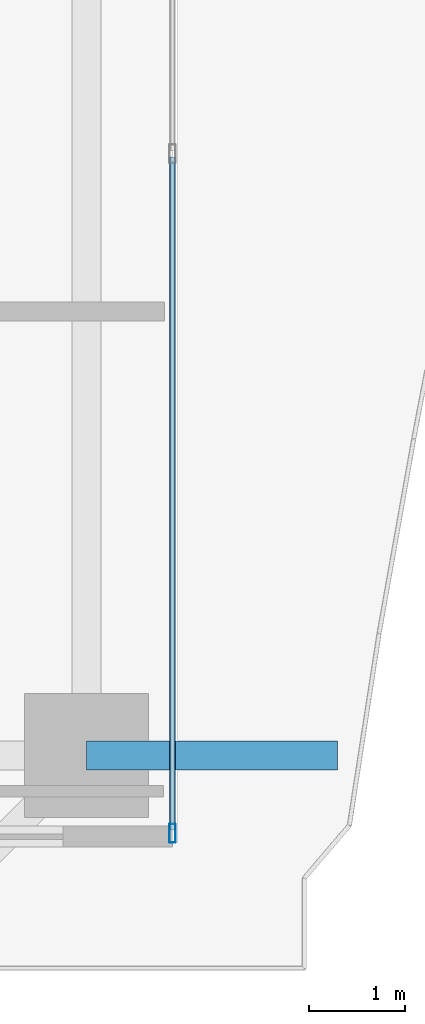
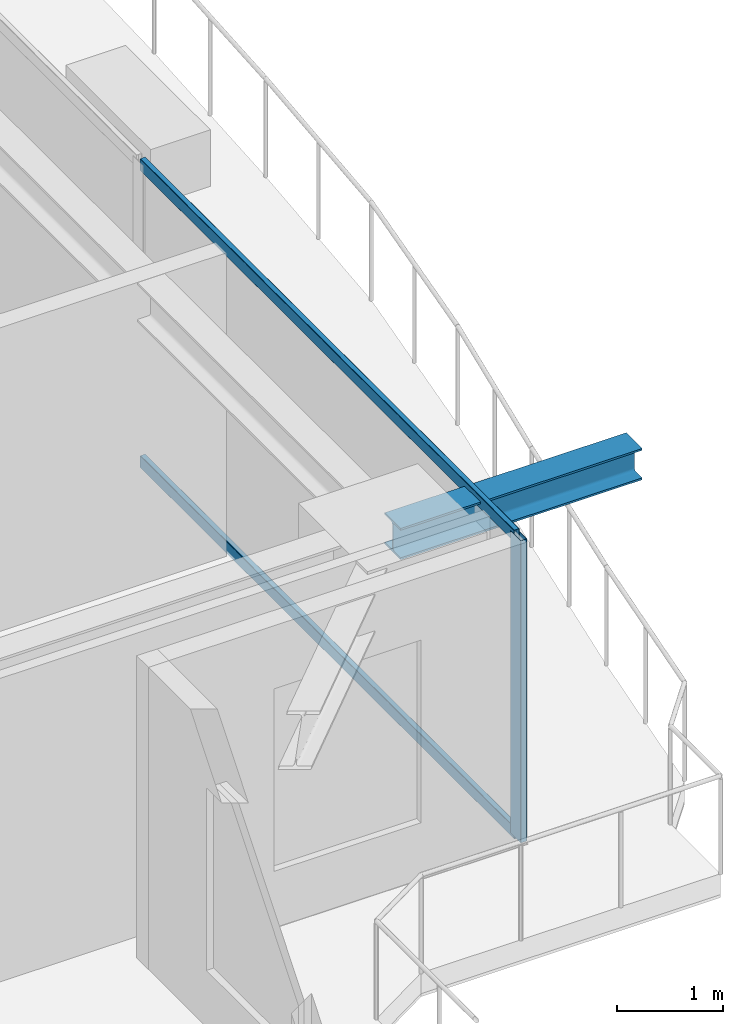
# One storey, part 13 of 37: 3 members, 1 beam, 1 element without a shape of its own.
"""IFC4 building model written with IfcOpenShell, lengths in metres."""

from ifc_helpers import new_model, si_unit, direction, frame, origin, origin_2d, place, context, subcontext, project, spatial, hollow_rectangle, i_section, extrude, source, transform, mapped, material, layer, layer_set, material_profile, profile_set, type_object, element, aggregate, save


model = new_model("IFC4")

# Units and contexts
model_context = context("Model", 3, precision=1e-05, world=origin(), true_north=direction((0.0, 1.0)))
body_context = subcontext(model_context, "Body", "Model", "MODEL_VIEW")
ifc_project = project(units=[si_unit("LENGTHUNIT", "METRE"), si_unit("AREAUNIT", "SQUARE_METRE"), si_unit("VOLUMEUNIT", "CUBIC_METRE"), si_unit("PLANEANGLEUNIT", "RADIAN"), si_unit("MASSUNIT", "GRAM", prefix="KILO")], contexts=[model_context])

# Site, building, storey
site_placement = place(None, origin())
site = spatial("IfcSite", under=ifc_project, at=site_placement, CompositionType="ELEMENT")
building_placement = place(site_placement, origin())
building = spatial("IfcBuilding", under=site, at=building_placement, Name="Serunith Strait Residences", CompositionType="ELEMENT")
storey_placement = place(building_placement, frame((0.0, 0.0, 161.39990234375)))
storey = spatial("IfcBuildingStorey", under=building, at=storey_placement, Name="L40", CompositionType="ELEMENT", Elevation=161.39990234375)

# Beam
ifc_material_1 = material(Name="Steel S355J2", Category="steel")
ifc_material_profile_1 = material_profile(ifc_material_1, i_section(OverallWidth=0.300048828125, OverallDepth=0.360107421875, WebThickness=0.012451171875, FlangeThickness=0.0224609375, FilletRadius=0.027099609375, at=origin_2d()), Name="HEB 360")
ifc_profile_set_1 = profile_set([ifc_material_profile_1], Name="Steel S355J2")
beam_type = type_object("IfcBeamType", Name="BM-HEB360", PredefinedType="BEAM", material=ifc_profile_set_1)
shared_shape_1 = source(origin(), body_context, "Body", "SweptSolid", [
    extrude(i_section(OverallWidth=0.300048828125, OverallDepth=0.360107421875, WebThickness=0.012451171875, FlangeThickness=0.0224609375, FilletRadius=0.027099609375, at=origin_2d()), origin(), (0.0, 0.0, 1.0), 2.627197265625),
])
beam_placement = place(storey_placement, frame((56.10009765625, 10.25, 3.277099609375), z_axis=(1.0, 0.0, 0.0), x_axis=(0.0, 1.0, 0.0)))
element("IfcBeam", 1, at=beam_placement, inside=storey, type_object=beam_type, Name="L41 Cantilevered Balcony Rib TC-E1", PredefinedType="BEAM", context=body_context, shape_type="MappedRepresentation", body=[
    mapped(shared_shape_1, transform((0.0, 0.0, 0.0), scale=1.0)),
])

# Curtain wall, members
ifc_material_2 = material(Name="Pale-Champagne Anodised Aluminium", Category="aluminium")
ifc_layer = layer(ifc_material_2, 0.199951171875, Name="Pale-Champagne Anodised Aluminium")
ifc_layer_set = layer_set([ifc_layer], Name="Pale-Champagne Anodised Aluminium")
curtain_wall_type = type_object("IfcCurtainWallType", Name="CW-SYS2", PredefinedType="NOTDEFINED", material=ifc_layer_set)
curtain_wall_placement = place(storey_placement, origin())
curtain_wall = element("IfcCurtainWall", 2, at=curtain_wall_placement, inside=storey, type_object=curtain_wall_type, Name="L40 E Unitised Fritted Curtain Wall", PredefinedType="NOTDEFINED")
ifc_material_profile_2 = material_profile(ifc_material_2, hollow_rectangle(XDim=0.070068359375, YDim=0.199951171875, WallThickness=0.00390625, InnerFilletRadius=0.006103515625, OuterFilletRadius=0.010009765625, at=origin_2d()), Name="ALU 200x70x4")
ifc_profile_set_2 = profile_set([ifc_material_profile_2], Name="Pale-Champagne Anodised Aluminium")
member_type_1 = type_object("IfcMemberType", Name="CW-SYS2-MULL", PredefinedType="MULLION", material=ifc_profile_set_2)
shared_shape_2 = source(origin(), body_context, "Body", "SweptSolid", [
    extrude(hollow_rectangle(XDim=0.070068359375, YDim=0.199951171875, WallThickness=0.00390625, InnerFilletRadius=0.006103515625, OuterFilletRadius=0.010009765625, at=origin_2d()), origin(), (0.0, 0.0, 1.0), 3.47509765625),
])
member_1_placement = place(storey_placement, frame((57.0, 9.43505859375, 0.0), z_axis=(0.0, 0.0, 1.0), x_axis=(-1.0, 0.0, 0.0)))
member_1 = element("IfcMember", 3, at=member_1_placement, type_object=member_type_1, Name="CW-2 mullion 1", PredefinedType="MULLION", context=body_context, shape_type="MappedRepresentation", body=[
    mapped(shared_shape_2, transform((0.0, 0.0, 0.0), scale=1.0)),
])
ifc_material_profile_3 = material_profile(ifc_material_2, hollow_rectangle(XDim=0.06005859375, YDim=0.139892578125, WallThickness=0.00341796875, InnerFilletRadius=0.00537109375, OuterFilletRadius=0.0087890625, at=origin_2d()), Name="ALU 140x60x3.5")
ifc_profile_set_3 = profile_set([ifc_material_profile_3], Name="Pale-Champagne Anodised Aluminium")
member_type_2 = type_object("IfcMemberType", Name="CW-SYS2-TRAN", PredefinedType="USERDEFINED", material=ifc_profile_set_3)
shared_shape_3 = source(origin(), body_context, "Body", "SweptSolid", [
    extrude(hollow_rectangle(XDim=0.06005859375, YDim=0.139892578125, WallThickness=0.00341796875, InnerFilletRadius=0.00537109375, OuterFilletRadius=0.0087890625, at=origin_2d()), origin(), (0.0, 0.0, 1.0), 7.044921875),
])
member_2_placement = place(storey_placement, frame((57.0, 9.469970703125, 0.030029296875), z_axis=(0.0, 1.0, 0.0), x_axis=(-1.0, 0.0, 0.0)))
member_2 = element("IfcMember", 4, at=member_2_placement, type_object=member_type_2, Name="CW-2 transom 1.1", ObjectType="TRANSOM", PredefinedType="USERDEFINED", context=body_context, shape_type="MappedRepresentation", body=[
    mapped(shared_shape_3, transform((0.0, 0.0, 0.0), scale=1.0)),
])
member_3_placement = place(storey_placement, frame((57.0, 9.469970703125, 3.445068359375), z_axis=(0.0, 1.0, 0.0), x_axis=(-1.0, 0.0, 0.0)))
member_3 = element("IfcMember", 5, at=member_3_placement, type_object=member_type_2, Name="CW-2 transom 1.2", ObjectType="TRANSOM", PredefinedType="USERDEFINED", context=body_context, shape_type="MappedRepresentation", body=[
    mapped(shared_shape_3, transform((0.0, 0.0, 0.0), scale=1.0)),
])
aggregate(curtain_wall, [member_1, member_2, member_3])

save(model, "model.ifc")
